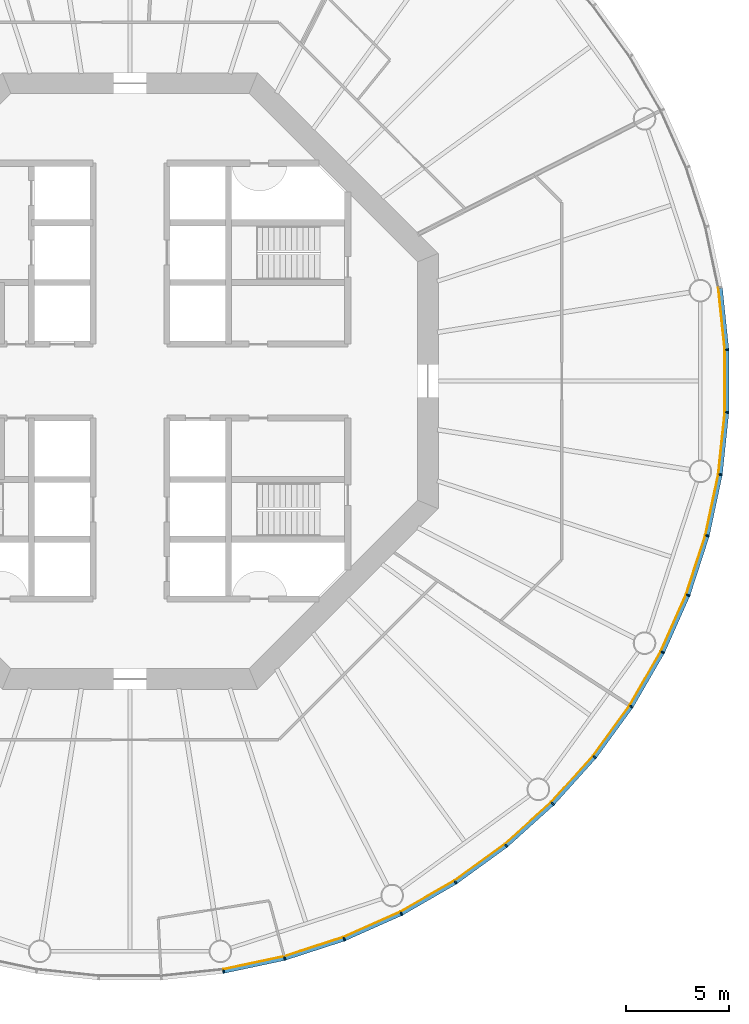
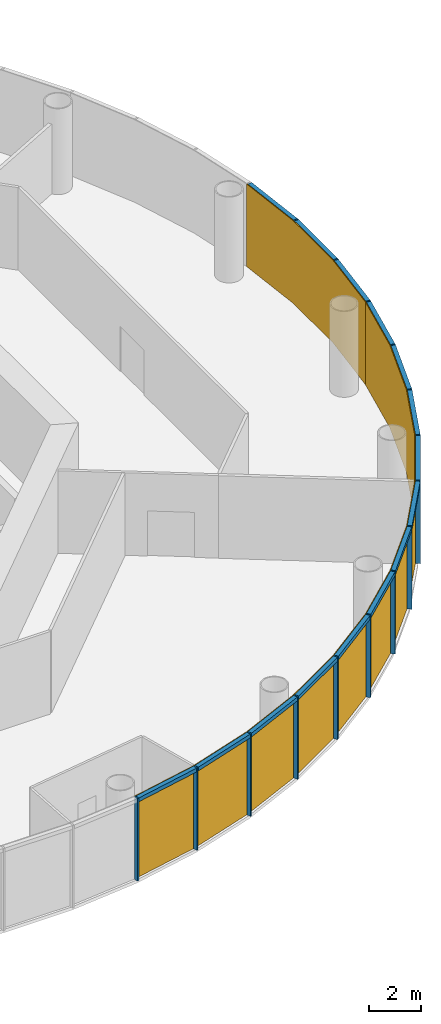
# One storey, part 9 of 13: 30 members, 5 curtain walls.
"""IFC4 building model written with IfcOpenShell, lengths in metres."""

import ifcopenshell
import ifcopenshell.guid

model = None  # the IFC model being written
_history = None  # IfcOwnerHistory: only IFC2X3 demands one
_inside = {}  # id of a spatial element -> (the spatial element, [elements in it])
_under = {}  # id of a project, library or spatial element -> (it, [spatial elements below it])
_declared = {}  # id of a project -> (the project, [libraries it declares])
_typed = {}  # id of a type object -> (the type object, [elements of that type])
_made_of = {}  # id of a material, layer set ... -> (it, [elements and type objects made of it])


def new_model(schema):
    """Start an empty IFC model of exactly this schema.

    Asked for "IFC4X3", IfcOpenShell would pick the latest addendum, in which some entities
    have other attributes; the version numbers below select the first issue.
    IFC2X3 requires an IfcOwnerHistory on every rooted entity: one is made here for all.
    """
    global model, _history
    if schema == "IFC4X3":
        model = ifcopenshell.file(schema_version=(4, 3, 0, 0))
    else:
        model = ifcopenshell.file(schema=schema)
    _inside.clear()
    _under.clear()
    _declared.clear()
    _typed.clear()
    _made_of.clear()
    _history = None
    if model.schema == "IFC2X3":
        org = make("IfcOrganization", Name="unknown")
        user = make(
            "IfcPersonAndOrganization",
            ThePerson=make("IfcPerson", FamilyName="unknown"),
            TheOrganization=org,
        )
        app = make(
            "IfcApplication",
            ApplicationDeveloper=org,
            Version="unknown",
            ApplicationFullName="unknown",
            ApplicationIdentifier="unknown",
        )
        _history = make(
            "IfcOwnerHistory",
            OwningUser=user,
            OwningApplication=app,
            ChangeAction="ADDED",
            CreationDate=0,
        )
    return model


def make(cls, **values):
    """One entity of the class cls with the attributes given. An attribute that is None is left unset."""
    return model.create_entity(
        cls, **{name: value for name, value in values.items() if value is not None}
    )


def rooted(cls, **values):
    """An entity with a GlobalId (a new one), such as an element, a storey or a relation."""
    return make(cls, GlobalId=ifcopenshell.guid.new(), OwnerHistory=_history, **values)


def si_unit(unit_type, name, prefix=None):
    """IfcSIUnit, for example si_unit("LENGTHUNIT", "METRE", prefix="MILLI")."""
    return make("IfcSIUnit", UnitType=unit_type, Prefix=prefix, Name=name)


def assignment(units):
    """IfcUnitAssignment: the units of a project."""
    return None if units is None else make("IfcUnitAssignment", Units=units)


def point(xyz):
    """IfcCartesianPoint."""
    return None if xyz is None else make("IfcCartesianPoint", Coordinates=xyz)


def direction(xyz):
    """IfcDirection."""
    return None if xyz is None else make("IfcDirection", DirectionRatios=xyz)


def frame(location, z_axis=None, x_axis=None):
    """IfcAxis2Placement3D, a coordinate frame: its origin and axes. An axis left out is left unset."""
    return make(
        "IfcAxis2Placement3D",
        Location=point(location),
        Axis=direction(z_axis),
        RefDirection=direction(x_axis),
    )


def frame_2d(location, x_axis=None):
    """IfcAxis2Placement2D, a coordinate frame in the plane: its origin and x axis."""
    return make(
        "IfcAxis2Placement2D", Location=point(location), RefDirection=direction(x_axis)
    )


def origin():
    """The frame at (0, 0, 0) with its axes left unset."""
    return frame((0.0, 0.0, 0.0))


def origin_2d():
    """The frame at (0, 0) in the plane with its x axis left unset."""
    return frame_2d((0.0, 0.0))


def place(relative_to, where):
    """IfcLocalPlacement: puts the frame where relative to a parent placement (None: the world)."""
    return make(
        "IfcLocalPlacement", PlacementRelTo=relative_to, RelativePlacement=where
    )


def context(
    kind, dimensions, precision=None, world=None, true_north=None, identifier=None
):
    """IfcGeometricRepresentationContext, for example the 3D "Model" context."""
    return make(
        "IfcGeometricRepresentationContext",
        ContextIdentifier=identifier,
        ContextType=kind,
        CoordinateSpaceDimension=dimensions,
        Precision=precision,
        WorldCoordinateSystem=world,
        TrueNorth=true_north,
    )


def subcontext(parent, identifier, kind, view, scale=None):
    """IfcGeometricRepresentationSubContext, for example "Body" below "Model"."""
    return make(
        "IfcGeometricRepresentationSubContext",
        ContextIdentifier=identifier,
        ContextType=kind,
        ParentContext=parent,
        TargetScale=scale,
        TargetView=view,
    )


def project(units=None, contexts=None):
    """IfcProject with its units and contexts."""
    return rooted(
        "IfcProject",
        Name="project",
        RepresentationContexts=contexts,
        UnitsInContext=assignment(units),
    )


def spatial(cls, under=None, at=None, **own):
    """A site, building, storey or space (cls), placed at a placement, below another one or the project."""
    s = rooted(cls, ObjectPlacement=at, **own)
    if under is not None:
        _under.setdefault(under.id(), (under, []))[1].append(s)
    return s


def polyline(points):
    """IfcPolyline through the points."""
    return make("IfcPolyline", Points=[point(p) for p in points])


def profile(cls, at=None, kind="AREA", **sizes):
    """A parametric profile (cls). Its sizes go by their IFC names, for example OverallWidth=200.0."""
    return make(cls, ProfileType=kind, Position=at, **sizes)


def rectangle(**sizes):
    """IfcRectangleProfileDef."""
    return profile("IfcRectangleProfileDef", **sizes)


def outline(outer, holes=None, kind="AREA"):
    """IfcArbitraryClosedProfileDef: a profile drawn as a closed curve; with holes, ...WithVoids."""
    if holes is None:
        return make("IfcArbitraryClosedProfileDef", ProfileType=kind, OuterCurve=outer)
    return make(
        "IfcArbitraryProfileDefWithVoids",
        ProfileType=kind,
        OuterCurve=outer,
        InnerCurves=holes,
    )


def extrude(swept, where, along, depth):
    """IfcExtrudedAreaSolid: the profile swept, set in the frame where, extruded along a direction by depth."""
    return make(
        "IfcExtrudedAreaSolid",
        SweptArea=swept,
        Position=where,
        ExtrudedDirection=direction(along),
        Depth=depth,
    )


def shape(context_of_items, identifier, shape_type, items):
    """IfcShapeRepresentation: the items that make up one representation, for example the "Body"."""
    return make(
        "IfcShapeRepresentation",
        ContextOfItems=context_of_items,
        RepresentationIdentifier=identifier,
        RepresentationType=shape_type,
        Items=items,
    )


def material(Name=None, Category=None):
    """IfcMaterial."""
    return make("IfcMaterial", Name=Name, Category=Category)


def layer(
    of_material, thickness, ventilated=None, Name=None, Category=None, Priority=None
):
    """IfcMaterialLayer: one layer of a wall or slab, of a material (None: an air gap)."""
    return make(
        "IfcMaterialLayer",
        Material=of_material,
        LayerThickness=thickness,
        IsVentilated=ventilated,
        Name=Name,
        Category=Category,
        Priority=Priority,
    )


def layer_set(layers, Name=None):
    """IfcMaterialLayerSet."""
    return make("IfcMaterialLayerSet", MaterialLayers=layers, LayerSetName=Name)


def material_profile(
    of_material, cross_section, Name=None, Category=None, Priority=None
):
    """IfcMaterialProfile: a cross section and its material."""
    return make(
        "IfcMaterialProfile",
        Name=Name,
        Material=of_material,
        Profile=cross_section,
        Priority=Priority,
        Category=Category,
    )


def profile_set(profiles, Name=None, composite=None):
    """IfcMaterialProfileSet."""
    return make(
        "IfcMaterialProfileSet",
        Name=Name,
        MaterialProfiles=profiles,
        CompositeProfile=composite,
    )


def made_of(thing, what):
    """Note that an element or type object is made of a material, layer set ...; save() writes the relation."""
    if what is not None:
        _made_of.setdefault(what.id(), (what, []))[1].append(thing)
    return thing


def type_object(cls, material=None, **own):
    """A type object (cls), such as IfcWallType, which elements share."""
    return made_of(rooted(cls, **own), material)


def element(
    cls,
    number,
    at=None,
    inside=None,
    cuts=None,
    type_object=None,
    material=None,
    context=None,
    identifier="Body",
    shape_type=None,
    held_by="IfcProductDefinitionShape",
    body=None,
    shapes=None,
    **own,
):
    """One element of the class cls, such as IfcWall. Its Tag is "e" and its number.

    at: its placement. inside: the storey or other place that contains it. cuts: it is an
    opening in that element (IfcRelVoidsElement). A single representation is given by context,
    identifier, shape_type and body (its items); several are given by shapes. held_by: the class
    of the entity that holds the representations. save() writes the other relations.
    """
    e = rooted(cls, Tag="e%d" % number, ObjectPlacement=at, **own)
    if body is not None:
        shapes = [shape(context, identifier, shape_type, body)]
    if shapes is not None:
        e.Representation = make(held_by, Representations=shapes)
    if inside is not None:
        _inside.setdefault(inside.id(), (inside, []))[1].append(e)
    if cuts is not None:
        rooted(
            "IfcRelVoidsElement", RelatingBuildingElement=cuts, RelatedOpeningElement=e
        )
    if type_object is not None:
        _typed.setdefault(type_object.id(), (type_object, []))[1].append(e)
    return made_of(e, material)


def aggregate(whole, parts):
    """IfcRelAggregates: a whole, such as a stair, and the parts it consists of."""
    return rooted("IfcRelAggregates", RelatingObject=whole, RelatedObjects=parts)


def save(model, path):
    """Write the relations noted so far, then the file.

    IfcRelAggregates (storeys below a building ...), IfcRelContainedInSpatialStructure (elements
    in a storey), IfcRelDefinesByType, IfcRelAssociatesMaterial and IfcRelDeclares: one each for
    every whole, place, type object, material and project.
    """
    for whole, parts in _under.values():
        aggregate(whole, parts)
    for where, things in _inside.values():
        rooted(
            "IfcRelContainedInSpatialStructure",
            RelatedElements=things,
            RelatingStructure=where,
        )
    for kind, things in _typed.values():
        rooted("IfcRelDefinesByType", RelatedObjects=things, RelatingType=kind)
    for what, things in _made_of.values():
        rooted("IfcRelAssociatesMaterial", RelatedObjects=things, RelatingMaterial=what)
    for by, libraries in _declared.values():
        rooted("IfcRelDeclares", RelatingContext=by, RelatedDefinitions=libraries)
    model.write(path)


model = new_model("IFC4")

# Units and contexts
model_context = context("Model", 3, precision=1e-05, world=origin(), true_north=direction((0.0, 1.0)))
body_context = subcontext(model_context, "Body", "Model", "MODEL_VIEW")
ifc_project = project(units=[si_unit("LENGTHUNIT", "METRE"), si_unit("AREAUNIT", "SQUARE_METRE"), si_unit("VOLUMEUNIT", "CUBIC_METRE"), si_unit("PLANEANGLEUNIT", "RADIAN"), si_unit("MASSUNIT", "GRAM", prefix="KILO")], contexts=[model_context])

# Member
ifc_material_1 = material(Name="Anodised aluminium", Category="aluminium")
ifc_material_profile_1 = material_profile(ifc_material_1, rectangle(XDim=0.06494140625, YDim=0.18505859375, at=origin_2d()), Name="Mullion 65 x 185 mm anodised aluminium")
ifc_profile_set_1 = profile_set([ifc_material_profile_1], Name="Anodised aluminium")
member_type_1 = type_object("IfcMemberType", Name="Mullion 65 x 185 mm anodised aluminium", PredefinedType="MULLION", material=ifc_profile_set_1)
site_placement = place(None, origin())
building_placement = place(site_placement, origin())
storey_placement = place(building_placement, frame((0.0, 0.0, 156.0)))
member_1_placement = place(storey_placement, frame((94.551025390625, 51.265625, 0.0), z_axis=(0.0, 0.0, 1.0), x_axis=(0.987688340595, 0.15643446504, 0.0)))
member_1 = element("IfcMember", 1, at=member_1_placement, type_object=member_type_1, Name="MULLION L35-45", PredefinedType="MULLION", context=body_context, shape_type="SweptSolid", body=[
    extrude(rectangle(XDim=0.06494140625, YDim=0.18505859375, at=origin_2d()), origin(), (0.0, 0.0, 1.0), 3.85009765625),
])

member_2_placement = place(storey_placement, frame((97.52978515625, 51.898681640625, 0.0), z_axis=(0.0, 0.0, 1.0), x_axis=(0.965925826289, 0.258819045103, 0.0)))
member_2 = element("IfcMember", 2, at=member_2_placement, type_object=member_type_1, Name="MULLION L35-46", PredefinedType="MULLION", context=body_context, shape_type="SweptSolid", body=[
    extrude(rectangle(XDim=0.06494140625, YDim=0.18505859375, at=origin_2d()), origin(), (0.0, 0.0, 1.0), 3.85009765625),
])

member_3_placement = place(storey_placement, frame((100.42578125, 52.83984375, 0.0), z_axis=(0.0, 0.0, 1.0), x_axis=(0.933580426497, 0.358367949545, 0.0)))
member_3 = element("IfcMember", 3, at=member_3_placement, type_object=member_type_1, Name="MULLION L35-47", PredefinedType="MULLION", context=body_context, shape_type="SweptSolid", body=[
    extrude(rectangle(XDim=0.06494140625, YDim=0.18505859375, at=origin_2d()), origin(), (0.0, 0.0, 1.0), 3.85009765625),
])

member_4_placement = place(storey_placement, frame((103.207763671875, 54.078369140625, 0.0), z_axis=(0.0, 0.0, 1.0), x_axis=(0.891006524188, 0.45399049974, 0.0)))
member_4 = element("IfcMember", 4, at=member_4_placement, type_object=member_type_1, Name="MULLION L35-48", PredefinedType="MULLION", context=body_context, shape_type="SweptSolid", body=[
    extrude(rectangle(XDim=0.06494140625, YDim=0.18505859375, at=origin_2d()), origin(), (0.0, 0.0, 1.0), 3.85009765625),
])

member_5_placement = place(storey_placement, frame((105.844970703125, 55.60107421875, 0.0), z_axis=(0.0, 0.0, 1.0), x_axis=(0.838670567945, 0.544639035015, 0.0)))
member_5 = element("IfcMember", 5, at=member_5_placement, type_object=member_type_1, Name="MULLION L35-49", PredefinedType="MULLION", context=body_context, shape_type="SweptSolid", body=[
    extrude(rectangle(XDim=0.06494140625, YDim=0.18505859375, at=origin_2d()), origin(), (0.0, 0.0, 1.0), 3.85009765625),
])

member_6_placement = place(storey_placement, frame((108.30859375, 57.390869140625, 0.0), z_axis=(0.0, 0.0, 1.0), x_axis=(0.777145961457, 0.62932039105, 0.0)))
member_6 = element("IfcMember", 6, at=member_6_placement, type_object=member_type_1, Name="MULLION L35-50", PredefinedType="MULLION", context=body_context, shape_type="SweptSolid", body=[
    extrude(rectangle(XDim=0.06494140625, YDim=0.18505859375, at=origin_2d()), origin(), (0.0, 0.0, 1.0), 3.85009765625),
])

member_7_placement = place(storey_placement, frame((110.571533203125, 59.428466796875, 0.0), z_axis=(0.0, 0.0, 1.0), x_axis=(0.707106781187, 0.707106781187, 0.0)))
member_7 = element("IfcMember", 7, at=member_7_placement, type_object=member_type_1, Name="MULLION L35-51", PredefinedType="MULLION", context=body_context, shape_type="SweptSolid", body=[
    extrude(rectangle(XDim=0.06494140625, YDim=0.18505859375, at=origin_2d()), origin(), (0.0, 0.0, 1.0), 3.85009765625),
])

member_8_placement = place(storey_placement, frame((112.609130859375, 61.69140625, 0.0), z_axis=(0.0, 0.0, 1.0), x_axis=(0.62932039105, 0.777145961457, 0.0)))
member_8 = element("IfcMember", 8, at=member_8_placement, type_object=member_type_1, Name="MULLION L35-52", PredefinedType="MULLION", context=body_context, shape_type="SweptSolid", body=[
    extrude(rectangle(XDim=0.06494140625, YDim=0.18505859375, at=origin_2d()), origin(), (0.0, 0.0, 1.0), 3.85009765625),
])

member_9_placement = place(storey_placement, frame((114.39892578125, 64.155029296875, 0.0), z_axis=(0.0, 0.0, 1.0), x_axis=(0.544639035015, 0.838670567945, 0.0)))
member_9 = element("IfcMember", 9, at=member_9_placement, type_object=member_type_1, Name="MULLION L35-53", PredefinedType="MULLION", context=body_context, shape_type="SweptSolid", body=[
    extrude(rectangle(XDim=0.06494140625, YDim=0.18505859375, at=origin_2d()), origin(), (0.0, 0.0, 1.0), 3.85009765625),
])

member_10_placement = place(storey_placement, frame((115.921630859375, 66.792236328125, 0.0), z_axis=(0.0, 0.0, 1.0), x_axis=(0.45399049974, 0.891006524188, 0.0)))
member_10 = element("IfcMember", 10, at=member_10_placement, type_object=member_type_1, Name="MULLION L35-54", PredefinedType="MULLION", context=body_context, shape_type="SweptSolid", body=[
    extrude(rectangle(XDim=0.06494140625, YDim=0.18505859375, at=origin_2d()), origin(), (0.0, 0.0, 1.0), 3.85009765625),
])

member_11_placement = place(storey_placement, frame((117.16015625, 69.57421875, 0.0), z_axis=(0.0, 0.0, 1.0), x_axis=(0.358367949545, 0.933580426497, 0.0)))
member_11 = element("IfcMember", 11, at=member_11_placement, type_object=member_type_1, Name="MULLION L35-55", PredefinedType="MULLION", context=body_context, shape_type="SweptSolid", body=[
    extrude(rectangle(XDim=0.06494140625, YDim=0.18505859375, at=origin_2d()), origin(), (0.0, 0.0, 1.0), 3.85009765625),
])

member_12_placement = place(storey_placement, frame((118.101318359375, 72.47021484375, 0.0), z_axis=(0.0, 0.0, 1.0), x_axis=(0.258819045103, 0.965925826289, 0.0)))
member_12 = element("IfcMember", 12, at=member_12_placement, type_object=member_type_1, Name="MULLION L35-56", PredefinedType="MULLION", context=body_context, shape_type="SweptSolid", body=[
    extrude(rectangle(XDim=0.06494140625, YDim=0.18505859375, at=origin_2d()), origin(), (0.0, 0.0, 1.0), 3.85009765625),
])

member_13_placement = place(storey_placement, frame((118.734375, 75.448974609375, 0.0), z_axis=(0.0, 0.0, 1.0), x_axis=(0.15643446504, 0.987688340595, 0.0)))
member_13 = element("IfcMember", 13, at=member_13_placement, type_object=member_type_1, Name="MULLION L35-57", PredefinedType="MULLION", context=body_context, shape_type="SweptSolid", body=[
    extrude(rectangle(XDim=0.06494140625, YDim=0.18505859375, at=origin_2d()), origin(), (0.0, 0.0, 1.0), 3.85009765625),
])

member_14_placement = place(storey_placement, frame((119.052734375, 78.477294921875, 0.0), z_axis=(0.0, 0.0, 1.0), x_axis=(0.052335956243, 0.998629534755, 0.0)))
member_14 = element("IfcMember", 14, at=member_14_placement, type_object=member_type_1, Name="MULLION L35-58", PredefinedType="MULLION", context=body_context, shape_type="SweptSolid", body=[
    extrude(rectangle(XDim=0.06494140625, YDim=0.18505859375, at=origin_2d()), origin(), (0.0, 0.0, 1.0), 3.85009765625),
])

member_15_placement = place(storey_placement, frame((119.052734375, 81.522705078125, 0.0), z_axis=(0.0, 0.0, 1.0), x_axis=(-0.052335956243, 0.998629534755, 0.0)))
member_15 = element("IfcMember", 15, at=member_15_placement, type_object=member_type_1, Name="MULLION L35-59", PredefinedType="MULLION", context=body_context, shape_type="SweptSolid", body=[
    extrude(rectangle(XDim=0.06494140625, YDim=0.18505859375, at=origin_2d()), origin(), (0.0, 0.0, 1.0), 3.85009765625),
])

ifc_material_2 = material(Name="Anodised aluminium", Category="aluminium")
ifc_material_profile_2 = material_profile(ifc_material_2, rectangle(XDim=0.18505859375, YDim=0.175048828125, at=origin_2d()), Name="Transom 175 x 185 mm anodised aluminium")
ifc_profile_set_2 = profile_set([ifc_material_profile_2], Name="Anodised aluminium")
member_type_2 = type_object("IfcMemberType", Name="Transom 175 x 185 mm anodised aluminium", PredefinedType="USERDEFINED", material=ifc_profile_set_2)
member_16_placement = place(storey_placement, frame((94.587646484375, 51.2734375, 3.762451171875), z_axis=(0.97815822425, 0.207861704825, 0.0), x_axis=(-0.207861704825, 0.97815822425, 0.0)))
member_16 = element("IfcMember", 16, at=member_16_placement, type_object=member_type_2, Name="TRANSOM L35-45", ObjectType="TRANSOM", PredefinedType="USERDEFINED", context=body_context, shape_type="SweptSolid", body=[
    extrude(rectangle(XDim=0.18505859375, YDim=0.175048828125, at=origin_2d()), origin(), (0.0, 0.0, 1.0), 2.970458984375),
])

member_17_placement = place(storey_placement, frame((97.565185546875, 51.91015625, 3.762451171875), z_axis=(0.951055809184, 0.30901917063, 0.0), x_axis=(-0.30901917063, 0.951055809184, 0.0)))
member_17 = element("IfcMember", 17, at=member_17_placement, type_object=member_type_2, Name="TRANSOM L35-46", ObjectType="TRANSOM", PredefinedType="USERDEFINED", context=body_context, shape_type="SweptSolid", body=[
    extrude(rectangle(XDim=0.18505859375, YDim=0.175048828125, at=origin_2d()), origin(), (0.0, 0.0, 1.0), 2.970703125),
])

member_18_placement = place(storey_placement, frame((100.4599609375, 52.85498046875, 3.762451171875), z_axis=(0.913567348806, 0.406687471156, 0.0), x_axis=(-0.406687471156, 0.913567348806, 0.0)))
member_18 = element("IfcMember", 18, at=member_18_placement, type_object=member_type_2, Name="TRANSOM L35-47", ObjectType="TRANSOM", PredefinedType="USERDEFINED", context=body_context, shape_type="SweptSolid", body=[
    extrude(rectangle(XDim=0.18505859375, YDim=0.175048828125, at=origin_2d()), origin(), (0.0, 0.0, 1.0), 2.970458984375),
])

member_19_placement = place(storey_placement, frame((103.240234375, 54.096923828125, 3.762451171875), z_axis=(0.866009025146, 0.500028367561, 0.0), x_axis=(-0.500028367561, 0.866009025146, 0.0)))
member_19 = element("IfcMember", 19, at=member_19_placement, type_object=member_type_2, Name="TRANSOM L35-48", ObjectType="TRANSOM", PredefinedType="USERDEFINED", context=body_context, shape_type="SweptSolid", body=[
    extrude(rectangle(XDim=0.18505859375, YDim=0.175048828125, at=origin_2d()), origin(), (0.0, 0.0, 1.0), 2.970458984375),
])

member_20_placement = place(storey_placement, frame((105.875244140625, 55.622802734375, 3.762451171875), z_axis=(0.808991906087, 0.587819781808, 0.0), x_axis=(-0.587819781808, 0.808991906087, 0.0)))
member_20 = element("IfcMember", 20, at=member_20_placement, type_object=member_type_2, Name="TRANSOM L35-49", ObjectType="TRANSOM", PredefinedType="USERDEFINED", context=body_context, shape_type="SweptSolid", body=[
    extrude(rectangle(XDim=0.18505859375, YDim=0.175048828125, at=origin_2d()), origin(), (0.0, 0.0, 1.0), 2.970458984375),
])

member_21_placement = place(storey_placement, frame((108.33642578125, 57.415771484375, 3.762451171875), z_axis=(0.743163354343, 0.669110027395, 0.0), x_axis=(-0.669110027395, 0.743163354343, 0.0)))
member_21 = element("IfcMember", 21, at=member_21_placement, type_object=member_type_2, Name="TRANSOM L35-50", ObjectType="TRANSOM", PredefinedType="USERDEFINED", context=body_context, shape_type="SweptSolid", body=[
    extrude(rectangle(XDim=0.18505859375, YDim=0.175048828125, at=origin_2d()), origin(), (0.0, 0.0, 1.0), 2.970458984375),
])

member_22_placement = place(storey_placement, frame((110.5966796875, 59.4560546875, 3.762451171875), z_axis=(0.669110027395, 0.743163354343, 0.0), x_axis=(-0.743163354343, 0.669110027395, 0.0)))
member_22 = element("IfcMember", 22, at=member_22_placement, type_object=member_type_2, Name="TRANSOM L35-51", ObjectType="TRANSOM", PredefinedType="USERDEFINED", context=body_context, shape_type="SweptSolid", body=[
    extrude(rectangle(XDim=0.18505859375, YDim=0.175048828125, at=origin_2d()), origin(), (0.0, 0.0, 1.0), 2.970458984375),
])

member_23_placement = place(storey_placement, frame((112.631103515625, 61.7216796875, 3.762451171875), z_axis=(0.587819781808, 0.808991906087, 0.0), x_axis=(-0.808991906087, 0.587819781808, 0.0)))
member_23 = element("IfcMember", 23, at=member_23_placement, type_object=member_type_2, Name="TRANSOM L35-52", ObjectType="TRANSOM", PredefinedType="USERDEFINED", context=body_context, shape_type="SweptSolid", body=[
    extrude(rectangle(XDim=0.18505859375, YDim=0.175048828125, at=origin_2d()), origin(), (0.0, 0.0, 1.0), 2.970458984375),
])

member_24_placement = place(storey_placement, frame((114.417724609375, 64.187255859375, 3.762451171875), z_axis=(0.500028367561, 0.866009025146, 0.0), x_axis=(-0.866009025146, 0.500028367561, 0.0)))
member_24 = element("IfcMember", 24, at=member_24_placement, type_object=member_type_2, Name="TRANSOM L35-53", ObjectType="TRANSOM", PredefinedType="USERDEFINED", context=body_context, shape_type="SweptSolid", body=[
    extrude(rectangle(XDim=0.18505859375, YDim=0.175048828125, at=origin_2d()), origin(), (0.0, 0.0, 1.0), 2.970458984375),
])

member_25_placement = place(storey_placement, frame((115.93701171875, 66.826416015625, 3.762451171875), z_axis=(0.406687471156, 0.913567348806, 0.0), x_axis=(-0.913567348806, 0.406687471156, 0.0)))
member_25 = element("IfcMember", 25, at=member_25_placement, type_object=member_type_2, Name="TRANSOM L35-54", ObjectType="TRANSOM", PredefinedType="USERDEFINED", context=body_context, shape_type="SweptSolid", body=[
    extrude(rectangle(XDim=0.18505859375, YDim=0.175048828125, at=origin_2d()), origin(), (0.0, 0.0, 1.0), 2.970458984375),
])

member_26_placement = place(storey_placement, frame((117.171875, 69.609619140625, 3.762451171875), z_axis=(0.30901917063, 0.951055809184, 0.0), x_axis=(-0.951055809184, 0.30901917063, 0.0)))
member_26 = element("IfcMember", 26, at=member_26_placement, type_object=member_type_2, Name="TRANSOM L35-55", ObjectType="TRANSOM", PredefinedType="USERDEFINED", context=body_context, shape_type="SweptSolid", body=[
    extrude(rectangle(XDim=0.18505859375, YDim=0.175048828125, at=origin_2d()), origin(), (0.0, 0.0, 1.0), 2.970703125),
])

member_27_placement = place(storey_placement, frame((118.109130859375, 72.5068359375, 3.762451171875), z_axis=(0.207861704825, 0.97815822425, 0.0), x_axis=(-0.97815822425, 0.207861704825, 0.0)))
member_27 = element("IfcMember", 27, at=member_27_placement, type_object=member_type_2, Name="TRANSOM L35-56", ObjectType="TRANSOM", PredefinedType="USERDEFINED", context=body_context, shape_type="SweptSolid", body=[
    extrude(rectangle(XDim=0.18505859375, YDim=0.175048828125, at=origin_2d()), origin(), (0.0, 0.0, 1.0), 2.970458984375),
])

member_28_placement = place(storey_placement, frame((118.73828125, 75.486083984375, 3.762451171875), z_axis=(0.104547872381, 0.994519855197, 0.0), x_axis=(-0.994519855197, 0.104547872381, 0.0)))
member_28 = element("IfcMember", 28, at=member_28_placement, type_object=member_type_2, Name="TRANSOM L35-57", ObjectType="TRANSOM", PredefinedType="USERDEFINED", context=body_context, shape_type="SweptSolid", body=[
    extrude(rectangle(XDim=0.18505859375, YDim=0.175048828125, at=origin_2d()), origin(), (0.0, 0.0, 1.0), 2.970458984375),
])

member_29_placement = place(storey_placement, frame((119.052734375, 78.5146484375, 3.762451171875), z_axis=(0.0, 1.0, 0.0), x_axis=(-1.0, 0.0, 0.0)))
member_29 = element("IfcMember", 29, at=member_29_placement, type_object=member_type_2, Name="TRANSOM L35-58", ObjectType="TRANSOM", PredefinedType="USERDEFINED", context=body_context, shape_type="SweptSolid", body=[
    extrude(rectangle(XDim=0.18505859375, YDim=0.175048828125, at=origin_2d()), origin(), (0.0, 0.0, 1.0), 2.970703125),
])

member_30_placement = place(storey_placement, frame((119.048828125, 81.559814453125, 3.762451171875), z_axis=(-0.104547872381, 0.994519855197, 0.0), x_axis=(-0.994519855197, -0.104547872381, 0.0)))
member_30 = element("IfcMember", 30, at=member_30_placement, type_object=member_type_2, Name="TRANSOM L35-59", ObjectType="TRANSOM", PredefinedType="USERDEFINED", context=body_context, shape_type="SweptSolid", body=[
    extrude(rectangle(XDim=0.18505859375, YDim=0.175048828125, at=origin_2d()), origin(), (0.0, 0.0, 1.0), 2.970458984375),
])

# Site, building, storey
site = spatial("IfcSite", under=ifc_project, at=site_placement, CompositionType="ELEMENT")
building = spatial("IfcBuilding", under=site, at=building_placement, Name="Entoto Ring Tower", CompositionType="ELEMENT")
storey = spatial("IfcBuildingStorey", under=building, at=storey_placement, Name="L35", CompositionType="ELEMENT", Elevation=156.0)

# Curtain wall
ifc_material_3 = material(Name="Clear low-iron glass", Category="glass")
ifc_layer = layer(ifc_material_3, 0.033935546875)
ifc_layer_set = layer_set([ifc_layer], Name="Clear low-iron glass")
curtain_wall_type = type_object("IfcCurtainWallType", Name="Curtain wall system CW3 glazing 34 mm", PredefinedType="NOTDEFINED", material=ifc_layer_set)
curtain_wall_1_placement = place(storey_placement, origin())
curtain_wall_1 = element("IfcCurtainWall", 31, at=curtain_wall_1_placement, inside=storey, type_object=curtain_wall_type, Name="CW3 L35-16", PredefinedType="NOTDEFINED", context=body_context, shape_type="SweptSolid", body=[
    extrude(outline(polyline([(94.53662109375, 51.35693359375), (97.505859375, 51.988037109375), (100.392578125, 52.92626953125), (103.165771484375, 54.160888671875), (103.150146484375, 54.191162109375), (100.38037109375, 52.9580078125), (97.496826171875, 52.02099609375), (94.53125, 51.390625), (94.53662109375, 51.35693359375)])), origin(), (0.0, 0.0, 1.0), 3.85009765625),
])

aggregate(curtain_wall_1, [member_1, member_2, member_3, member_16, member_17, member_18])

curtain_wall_2_placement = place(storey_placement, origin())
curtain_wall_2 = element("IfcCurtainWall", 32, at=curtain_wall_2_placement, inside=storey, type_object=curtain_wall_type, Name="CW3 L35-17", PredefinedType="NOTDEFINED", context=body_context, shape_type="SweptSolid", body=[
    extrude(outline(polyline([(103.165771484375, 54.160888671875), (105.79443359375, 55.678466796875), (108.250244140625, 57.462646484375), (110.506103515625, 59.493896484375), (110.48193359375, 59.51806640625), (108.228759765625, 57.4892578125), (105.77587890625, 55.70703125), (103.150146484375, 54.191162109375), (103.165771484375, 54.160888671875)])), origin(), (0.0, 0.0, 1.0), 3.85009765625),
])

aggregate(curtain_wall_2, [member_4, member_5, member_6, member_19, member_20, member_21])

curtain_wall_3_placement = place(storey_placement, origin())
curtain_wall_3 = element("IfcCurtainWall", 33, at=curtain_wall_3_placement, inside=storey, type_object=curtain_wall_type, Name="CW3 L35-18", PredefinedType="NOTDEFINED", context=body_context, shape_type="SweptSolid", body=[
    extrude(outline(polyline([(110.506103515625, 59.493896484375), (112.537353515625, 61.749755859375), (114.321533203125, 64.20556640625), (115.839111328125, 66.834228515625), (115.808837890625, 66.849853515625), (114.29296875, 64.22412109375), (112.5107421875, 61.771240234375), (110.48193359375, 59.51806640625), (110.506103515625, 59.493896484375)])), origin(), (0.0, 0.0, 1.0), 3.85009765625),
])

aggregate(curtain_wall_3, [member_7, member_8, member_9, member_22, member_23, member_24])

curtain_wall_4_placement = place(storey_placement, origin())
curtain_wall_4 = element("IfcCurtainWall", 34, at=curtain_wall_4_placement, inside=storey, type_object=curtain_wall_type, Name="CW3 L35-19", PredefinedType="NOTDEFINED", context=body_context, shape_type="SweptSolid", body=[
    extrude(outline(polyline([(115.839111328125, 66.834228515625), (117.07373046875, 69.607421875), (118.011962890625, 72.494140625), (118.64306640625, 75.46337890625), (118.609375, 75.46875), (117.97900390625, 72.503173828125), (117.0419921875, 69.61962890625), (115.808837890625, 66.849853515625), (115.839111328125, 66.834228515625)])), origin(), (0.0, 0.0, 1.0), 3.85009765625),
])

aggregate(curtain_wall_4, [member_10, member_11, member_12, member_25, member_26, member_27])

curtain_wall_5_placement = place(storey_placement, origin())
curtain_wall_5 = element("IfcCurtainWall", 35, at=curtain_wall_5_placement, inside=storey, type_object=curtain_wall_type, Name="CW3 L35-20", PredefinedType="NOTDEFINED", context=body_context, shape_type="SweptSolid", body=[
    extrude(outline(polyline([(118.64306640625, 75.46337890625), (118.960205078125, 78.482177734375), (118.960205078125, 81.517822265625), (118.64306640625, 84.53662109375), (118.609375, 84.53125), (118.92626953125, 81.515869140625), (118.92626953125, 78.484130859375), (118.609375, 75.46875), (118.64306640625, 75.46337890625)])), origin(), (0.0, 0.0, 1.0), 3.85009765625),
])

aggregate(curtain_wall_5, [member_13, member_14, member_15, member_28, member_29, member_30])

save(model, "model.ifc")
